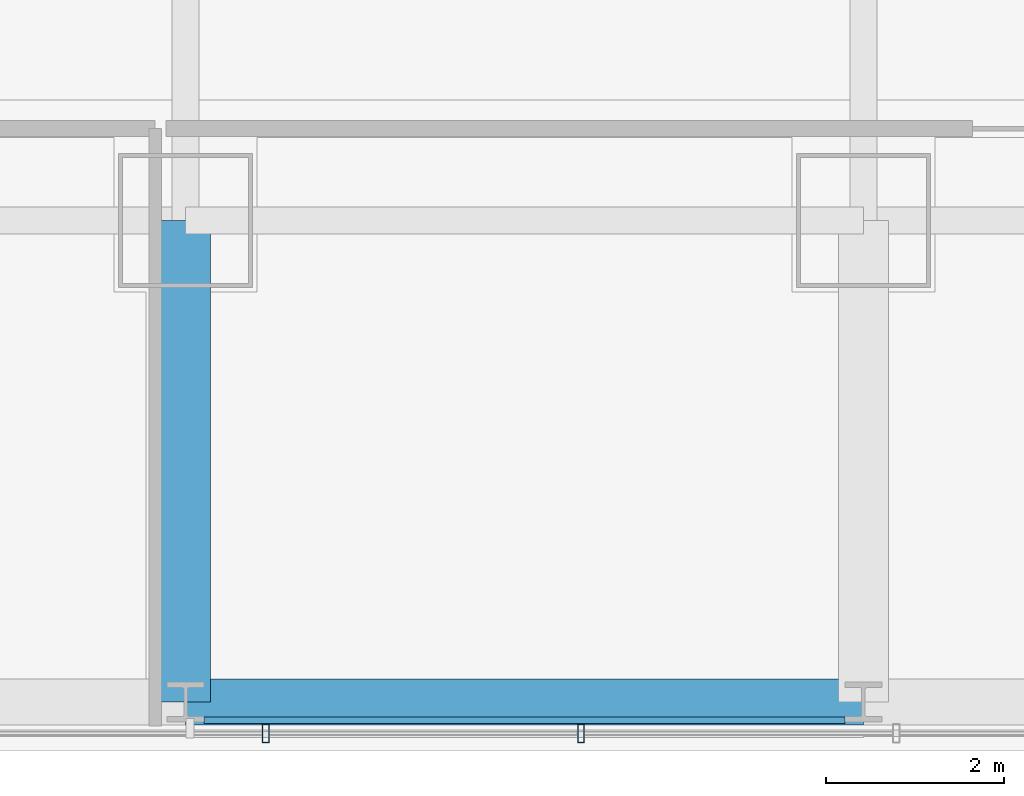
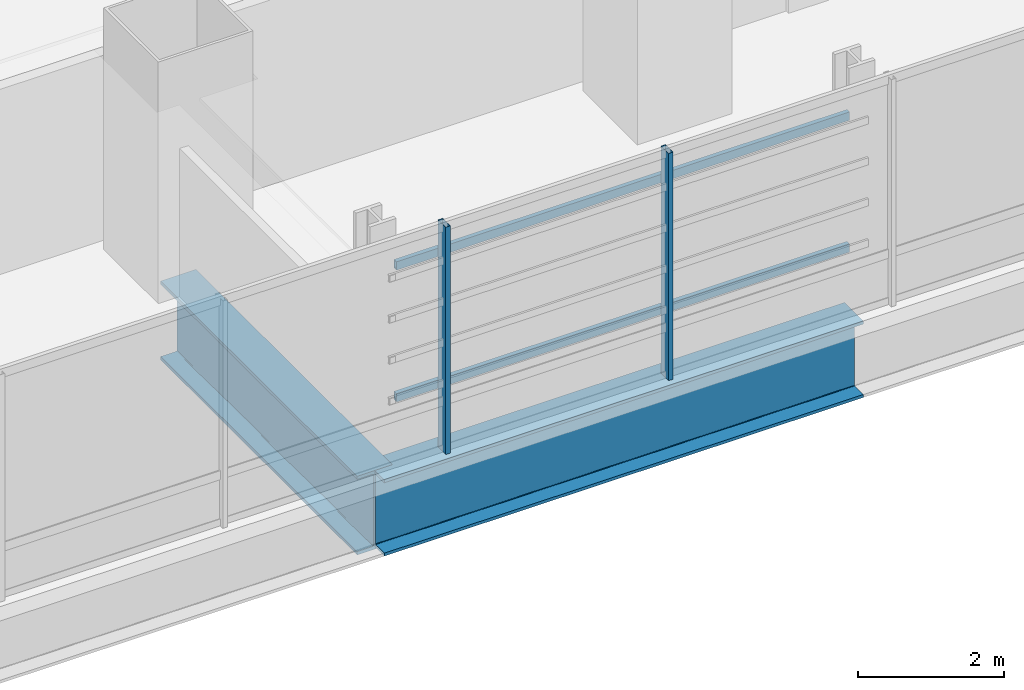
# One storey, part 4 of 35: 4 members, 2 beams, 1 element without a shape of its own.
"""IFC4 building model written with IfcOpenShell, lengths in metres."""

from ifc_helpers import new_model, si_unit, direction, frame, origin, origin_2d, place, context, subcontext, project, spatial, hollow_rectangle, i_section, extrude, material, material_profile, profile_set, type_object, element, aggregate, save


model = new_model("IFC4")

# Units and contexts
model_context = context("Model", 3, precision=1e-05, world=origin(), true_north=direction((0.0, 1.0)))
body_context = subcontext(model_context, "Body", "Model", "MODEL_VIEW")
ifc_project = project(units=[si_unit("LENGTHUNIT", "METRE"), si_unit("AREAUNIT", "SQUARE_METRE"), si_unit("VOLUMEUNIT", "CUBIC_METRE"), si_unit("PLANEANGLEUNIT", "RADIAN"), si_unit("MASSUNIT", "GRAM", prefix="KILO")], contexts=[model_context])

# Site, building, storey
site_placement = place(None, origin())
site = spatial("IfcSite", under=ifc_project, at=site_placement, CompositionType="ELEMENT")
building_placement = place(site_placement, origin())
building = spatial("IfcBuilding", under=site, at=building_placement, Name="Punatoya Terracotta Tower", CompositionType="ELEMENT")
storey_placement = place(building_placement, frame((0.0, 0.0, 72.75)))
storey = spatial("IfcBuildingStorey", under=building, at=storey_placement, Name="L16", CompositionType="ELEMENT", Elevation=72.75)

# Beams
ifc_material_1 = material(Name="Steel S460", Category="steel")
ifc_material_profile_1 = material_profile(ifc_material_1, i_section(OverallWidth=0.56005859375, OverallDepth=1.320068359375, WebThickness=0.035888671875, FlangeThickness=0.054931640625, FilletRadius=0.01806640625, at=origin_2d()))
ifc_profile_set_1 = profile_set([ifc_material_profile_1], Name="Steel S460")
beam_type_1 = type_object("IfcBeamType", Name="BM-TG-BLK", PredefinedType="BEAM", material=ifc_profile_set_1)
beam_1_placement = place(storey_placement, frame((-3.800048828125, -22.89990234375, -0.89990234375), z_axis=(0.0, 1.0, 0.0), x_axis=(-1.0, 0.0, 0.0)))
element("IfcBeam", 1, at=beam_1_placement, inside=storey, type_object=beam_type_1, Name="BM-L16-CANT-S2", PredefinedType="BEAM", context=body_context, shape_type="SweptSolid", body=[
    extrude(i_section(OverallWidth=0.56005859375, OverallDepth=1.320068359375, WebThickness=0.035888671875, FlangeThickness=0.054931640625, FilletRadius=0.01806640625, at=origin_2d()), origin(), (0.0, 0.0, 1.0), 5.39990234375),
])
ifc_material_profile_2 = material_profile(ifc_material_1, i_section(OverallWidth=0.52001953125, OverallDepth=1.280029296875, WebThickness=0.031982421875, FlangeThickness=0.050048828125, FilletRadius=0.01806640625, at=origin_2d()))
ifc_profile_set_2 = profile_set([ifc_material_profile_2], Name="Steel S460")
beam_type_2 = type_object("IfcBeamType", Name="BM-TG-NCK", PredefinedType="BEAM", material=ifc_profile_set_2)
beam_2_placement = place(storey_placement, frame((-3.800048828125, -22.89990234375, -0.8798828125), z_axis=(1.0, 0.0, 0.0), x_axis=(0.0, 1.0, 0.0)))
element("IfcBeam", 2, at=beam_2_placement, inside=storey, type_object=beam_type_2, Name="BM-L16-PER-S2", PredefinedType="BEAM", context=body_context, shape_type="SweptSolid", body=[
    extrude(i_section(OverallWidth=0.52001953125, OverallDepth=1.280029296875, WebThickness=0.031982421875, FlangeThickness=0.050048828125, FilletRadius=0.01806640625, at=origin_2d()), origin(), (0.0, 0.0, 1.0), 7.60009765625),
])

# Curtain wall, members
ifc_material_2 = material(Name="Aluminium 6063-T6 + Double Low-E Glass", Category="aluminium")
curtain_wall_type = type_object("IfcCurtainWallType", Name="CW-M1", PredefinedType="NOTDEFINED", material=ifc_material_2)
curtain_wall_placement = place(storey_placement, origin())
curtain_wall = element("IfcCurtainWall", 3, at=curtain_wall_placement, inside=storey, type_object=curtain_wall_type, Name="L16 Curtain Wall CW-L16-S01-1", PredefinedType="NOTDEFINED")
ifc_material_3 = material(Name="Aluminium 6063-T6", Category="aluminium")
ifc_material_profile_3 = material_profile(ifc_material_3, hollow_rectangle(XDim=0.074951171875, YDim=0.2099609375, WallThickness=0.00439453125, at=origin_2d()))
ifc_profile_set_3 = profile_set([ifc_material_profile_3], Name="Aluminium 6063-T6")
member_type_1 = type_object("IfcMemberType", Name="CW-MUL-M1", PredefinedType="MULLION", material=ifc_profile_set_3)
member_1_placement = place(storey_placement, frame((-2.90087890625, -23.25, 0.0), z_axis=(0.0, 0.0, 1.0), x_axis=(1.0, 0.0, 0.0)))
member_1 = element("IfcMember", 4, at=member_1_placement, type_object=member_type_1, Name="CW-L16-S01-1 Mullion 04", PredefinedType="MULLION", context=body_context, shape_type="SweptSolid", body=[
    extrude(hollow_rectangle(XDim=0.074951171875, YDim=0.2099609375, WallThickness=0.00439453125, at=origin_2d()), origin(), (0.0, 0.0, 1.0), 3.81005859375),
])
member_2_placement = place(storey_placement, frame((0.633056640625, -23.25, 0.0), z_axis=(0.0, 0.0, 1.0), x_axis=(1.0, 0.0, 0.0)))
member_2 = element("IfcMember", 5, at=member_2_placement, type_object=member_type_1, Name="CW-L16-S01-1 Mullion 05", PredefinedType="MULLION", context=body_context, shape_type="SweptSolid", body=[
    extrude(hollow_rectangle(XDim=0.074951171875, YDim=0.2099609375, WallThickness=0.00439453125, at=origin_2d()), origin(), (0.0, 0.0, 1.0), 3.81005859375),
])
aggregate(curtain_wall, [member_1, member_2])

# Members
ifc_material_4 = material(Name="Steel S355", Category="steel")
ifc_material_profile_4 = material_profile(ifc_material_4, hollow_rectangle(XDim=0.070068359375, YDim=0.139892578125, WallThickness=0.006103515625, at=origin_2d()))
ifc_profile_set_4 = profile_set([ifc_material_profile_4], Name="Steel S355")
member_type_2 = type_object("IfcMemberType", Name="MEM-BAG-RAIL", PredefinedType="USERDEFINED", material=ifc_profile_set_4)
for number, where, z_axis, x_axis, name in (
    (6, (-3.592529296875, -23.10498046875, 1.050048828125), (1.0, 0.0, 0.0), (0.0, 1.0, 0.0), "L16 Terracotta Baguette Carrier Rail BAG-L16-S-R1"),
    (7, (-3.592529296875, -23.10498046875, 3.260009765625), (1.0, 0.0, 0.0), (0.0, 1.0, 0.0), "L16 Terracotta Baguette Carrier Rail BAG-L16-S-R2"),
):
    element("IfcMember", number, at=place(storey_placement, frame(where, z_axis=z_axis, x_axis=x_axis)), inside=storey, type_object=member_type_2, Name=name, ObjectType="BAGUETTE", PredefinedType="USERDEFINED", context=body_context, shape_type="SweptSolid", body=[
        extrude(hollow_rectangle(XDim=0.070068359375, YDim=0.139892578125, WallThickness=0.006103515625, at=origin_2d()), origin(), (0.0, 0.0, 1.0), 7.18505859375),
    ])

save(model, "model.ifc")
